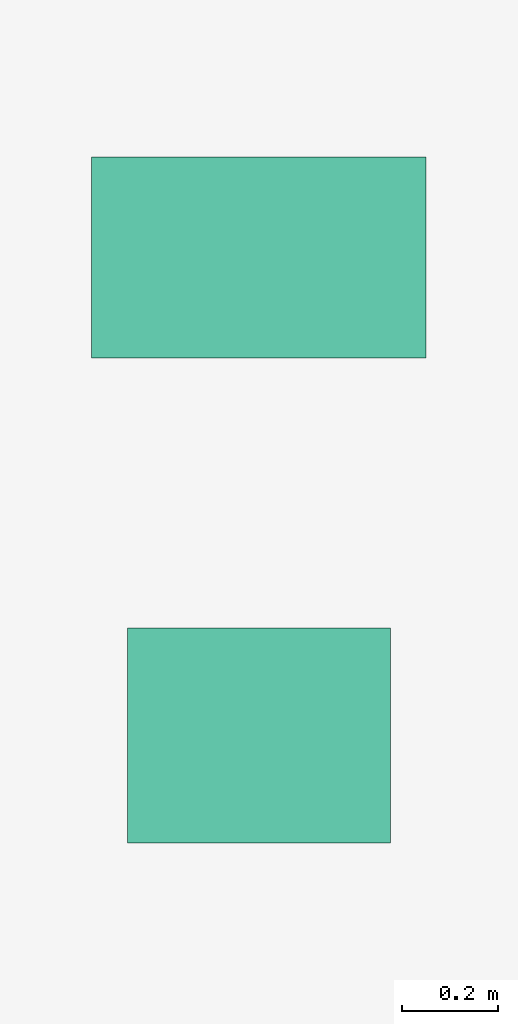
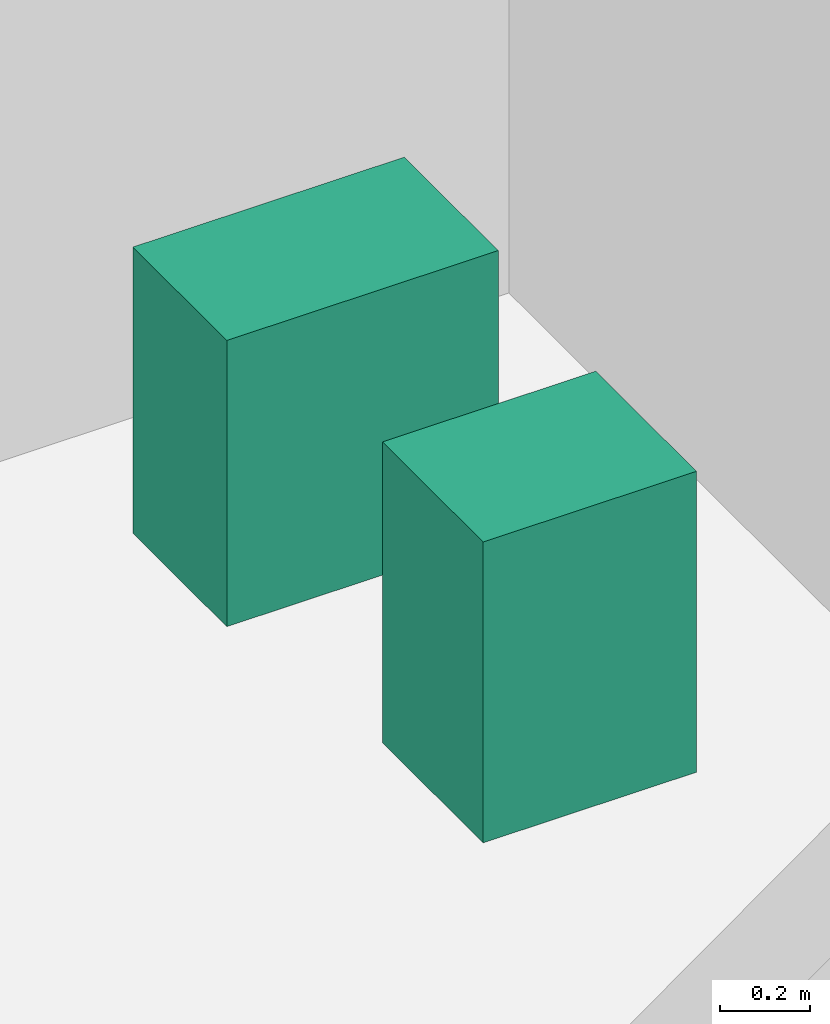
# One storey, part 27 of 27: 2 sanitary terminals.
"""IFC4 building model written with IfcOpenShell, lengths in metres."""

import ifcopenshell
import ifcopenshell.guid

model = None  # the IFC model being written
_history = None  # IfcOwnerHistory: only IFC2X3 demands one
_inside = {}  # id of a spatial element -> (the spatial element, [elements in it])
_under = {}  # id of a project, library or spatial element -> (it, [spatial elements below it])
_declared = {}  # id of a project -> (the project, [libraries it declares])
_typed = {}  # id of a type object -> (the type object, [elements of that type])
_made_of = {}  # id of a material, layer set ... -> (it, [elements and type objects made of it])


def new_model(schema):
    """Start an empty IFC model of exactly this schema.

    Asked for "IFC4X3", IfcOpenShell would pick the latest addendum, in which some entities
    have other attributes; the version numbers below select the first issue.
    IFC2X3 requires an IfcOwnerHistory on every rooted entity: one is made here for all.
    """
    global model, _history
    if schema == "IFC4X3":
        model = ifcopenshell.file(schema_version=(4, 3, 0, 0))
    else:
        model = ifcopenshell.file(schema=schema)
    _inside.clear()
    _under.clear()
    _declared.clear()
    _typed.clear()
    _made_of.clear()
    _history = None
    if model.schema == "IFC2X3":
        org = make("IfcOrganization", Name="unknown")
        user = make(
            "IfcPersonAndOrganization",
            ThePerson=make("IfcPerson", FamilyName="unknown"),
            TheOrganization=org,
        )
        app = make(
            "IfcApplication",
            ApplicationDeveloper=org,
            Version="unknown",
            ApplicationFullName="unknown",
            ApplicationIdentifier="unknown",
        )
        _history = make(
            "IfcOwnerHistory",
            OwningUser=user,
            OwningApplication=app,
            ChangeAction="ADDED",
            CreationDate=0,
        )
    return model


def make(cls, **values):
    """One entity of the class cls with the attributes given. An attribute that is None is left unset."""
    return model.create_entity(
        cls, **{name: value for name, value in values.items() if value is not None}
    )


def rooted(cls, **values):
    """An entity with a GlobalId (a new one), such as an element, a storey or a relation."""
    return make(cls, GlobalId=ifcopenshell.guid.new(), OwnerHistory=_history, **values)


def si_unit(unit_type, name, prefix=None):
    """IfcSIUnit, for example si_unit("LENGTHUNIT", "METRE", prefix="MILLI")."""
    return make("IfcSIUnit", UnitType=unit_type, Prefix=prefix, Name=name)


def assignment(units):
    """IfcUnitAssignment: the units of a project."""
    return None if units is None else make("IfcUnitAssignment", Units=units)


def point(xyz):
    """IfcCartesianPoint."""
    return None if xyz is None else make("IfcCartesianPoint", Coordinates=xyz)


def direction(xyz):
    """IfcDirection."""
    return None if xyz is None else make("IfcDirection", DirectionRatios=xyz)


def frame(location, z_axis=None, x_axis=None):
    """IfcAxis2Placement3D, a coordinate frame: its origin and axes. An axis left out is left unset."""
    return make(
        "IfcAxis2Placement3D",
        Location=point(location),
        Axis=direction(z_axis),
        RefDirection=direction(x_axis),
    )


def frame_2d(location, x_axis=None):
    """IfcAxis2Placement2D, a coordinate frame in the plane: its origin and x axis."""
    return make(
        "IfcAxis2Placement2D", Location=point(location), RefDirection=direction(x_axis)
    )


def origin():
    """The frame at (0, 0, 0) with its axes left unset."""
    return frame((0.0, 0.0, 0.0))


def origin_2d():
    """The frame at (0, 0) in the plane with its x axis left unset."""
    return frame_2d((0.0, 0.0))


def place(relative_to, where):
    """IfcLocalPlacement: puts the frame where relative to a parent placement (None: the world)."""
    return make(
        "IfcLocalPlacement", PlacementRelTo=relative_to, RelativePlacement=where
    )


def context(
    kind, dimensions, precision=None, world=None, true_north=None, identifier=None
):
    """IfcGeometricRepresentationContext, for example the 3D "Model" context."""
    return make(
        "IfcGeometricRepresentationContext",
        ContextIdentifier=identifier,
        ContextType=kind,
        CoordinateSpaceDimension=dimensions,
        Precision=precision,
        WorldCoordinateSystem=world,
        TrueNorth=true_north,
    )


def subcontext(parent, identifier, kind, view, scale=None):
    """IfcGeometricRepresentationSubContext, for example "Body" below "Model"."""
    return make(
        "IfcGeometricRepresentationSubContext",
        ContextIdentifier=identifier,
        ContextType=kind,
        ParentContext=parent,
        TargetScale=scale,
        TargetView=view,
    )


def project(units=None, contexts=None):
    """IfcProject with its units and contexts."""
    return rooted(
        "IfcProject",
        Name="project",
        RepresentationContexts=contexts,
        UnitsInContext=assignment(units),
    )


def spatial(cls, under=None, at=None, **own):
    """A site, building, storey or space (cls), placed at a placement, below another one or the project."""
    s = rooted(cls, ObjectPlacement=at, **own)
    if under is not None:
        _under.setdefault(under.id(), (under, []))[1].append(s)
    return s


def profile(cls, at=None, kind="AREA", **sizes):
    """A parametric profile (cls). Its sizes go by their IFC names, for example OverallWidth=200.0."""
    return make(cls, ProfileType=kind, Position=at, **sizes)


def rectangle(**sizes):
    """IfcRectangleProfileDef."""
    return profile("IfcRectangleProfileDef", **sizes)


def extrude(swept, where, along, depth):
    """IfcExtrudedAreaSolid: the profile swept, set in the frame where, extruded along a direction by depth."""
    return make(
        "IfcExtrudedAreaSolid",
        SweptArea=swept,
        Position=where,
        ExtrudedDirection=direction(along),
        Depth=depth,
    )


def shape(context_of_items, identifier, shape_type, items):
    """IfcShapeRepresentation: the items that make up one representation, for example the "Body"."""
    return make(
        "IfcShapeRepresentation",
        ContextOfItems=context_of_items,
        RepresentationIdentifier=identifier,
        RepresentationType=shape_type,
        Items=items,
    )


def source(mapping_origin, context_of_items, identifier, shape_type, items):
    """IfcRepresentationMap: a shape defined once, which mapped items show again and again."""
    return make(
        "IfcRepresentationMap",
        MappingOrigin=mapping_origin,
        MappedRepresentation=shape(context_of_items, identifier, shape_type, items),
    )


def transform(
    local_origin,
    x_axis=None,
    y_axis=None,
    z_axis=None,
    scale=None,
    scale2=None,
    scale3=None,
    uniform=True,
):
    """IfcCartesianTransformationOperator3D, or its non-uniform kind. x_axis, y_axis, z_axis: its Axis1, 2, 3."""
    if uniform:
        return make(
            "IfcCartesianTransformationOperator3D",
            Axis1=direction(x_axis),
            Axis2=direction(y_axis),
            LocalOrigin=point(local_origin),
            Scale=scale,
            Axis3=direction(z_axis),
        )
    return make(
        "IfcCartesianTransformationOperator3DnonUniform",
        Axis1=direction(x_axis),
        Axis2=direction(y_axis),
        LocalOrigin=point(local_origin),
        Scale=scale,
        Axis3=direction(z_axis),
        Scale2=scale2,
        Scale3=scale3,
    )


def mapped(mapping_source, mapping_target):
    """IfcMappedItem: shows the shape of a source again, moved by a transform."""
    return make(
        "IfcMappedItem", MappingSource=mapping_source, MappingTarget=mapping_target
    )


def material(Name=None, Category=None):
    """IfcMaterial."""
    return make("IfcMaterial", Name=Name, Category=Category)


def made_of(thing, what):
    """Note that an element or type object is made of a material, layer set ...; save() writes the relation."""
    if what is not None:
        _made_of.setdefault(what.id(), (what, []))[1].append(thing)
    return thing


def type_object(cls, material=None, **own):
    """A type object (cls), such as IfcWallType, which elements share."""
    return made_of(rooted(cls, **own), material)


def element(
    cls,
    number,
    at=None,
    inside=None,
    cuts=None,
    type_object=None,
    material=None,
    context=None,
    identifier="Body",
    shape_type=None,
    held_by="IfcProductDefinitionShape",
    body=None,
    shapes=None,
    **own,
):
    """One element of the class cls, such as IfcWall. Its Tag is "e" and its number.

    at: its placement. inside: the storey or other place that contains it. cuts: it is an
    opening in that element (IfcRelVoidsElement). A single representation is given by context,
    identifier, shape_type and body (its items); several are given by shapes. held_by: the class
    of the entity that holds the representations. save() writes the other relations.
    """
    e = rooted(cls, Tag="e%d" % number, ObjectPlacement=at, **own)
    if body is not None:
        shapes = [shape(context, identifier, shape_type, body)]
    if shapes is not None:
        e.Representation = make(held_by, Representations=shapes)
    if inside is not None:
        _inside.setdefault(inside.id(), (inside, []))[1].append(e)
    if cuts is not None:
        rooted(
            "IfcRelVoidsElement", RelatingBuildingElement=cuts, RelatedOpeningElement=e
        )
    if type_object is not None:
        _typed.setdefault(type_object.id(), (type_object, []))[1].append(e)
    return made_of(e, material)


def aggregate(whole, parts):
    """IfcRelAggregates: a whole, such as a stair, and the parts it consists of."""
    return rooted("IfcRelAggregates", RelatingObject=whole, RelatedObjects=parts)


def save(model, path):
    """Write the relations noted so far, then the file.

    IfcRelAggregates (storeys below a building ...), IfcRelContainedInSpatialStructure (elements
    in a storey), IfcRelDefinesByType, IfcRelAssociatesMaterial and IfcRelDeclares: one each for
    every whole, place, type object, material and project.
    """
    for whole, parts in _under.values():
        aggregate(whole, parts)
    for where, things in _inside.values():
        rooted(
            "IfcRelContainedInSpatialStructure",
            RelatedElements=things,
            RelatingStructure=where,
        )
    for kind, things in _typed.values():
        rooted("IfcRelDefinesByType", RelatedObjects=things, RelatingType=kind)
    for what, things in _made_of.values():
        rooted("IfcRelAssociatesMaterial", RelatedObjects=things, RelatingMaterial=what)
    for by, libraries in _declared.values():
        rooted("IfcRelDeclares", RelatingContext=by, RelatedDefinitions=libraries)
    model.write(path)


model = new_model("IFC4")

# Units and contexts
model_context = context("Model", 3, precision=1e-05, world=origin(), true_north=direction((0.0, 1.0)))
body_context = subcontext(model_context, "Body", "Model", "MODEL_VIEW")
ifc_project = project(units=[si_unit("LENGTHUNIT", "METRE"), si_unit("AREAUNIT", "SQUARE_METRE"), si_unit("VOLUMEUNIT", "CUBIC_METRE"), si_unit("PLANEANGLEUNIT", "RADIAN"), si_unit("MASSUNIT", "GRAM", prefix="KILO")], contexts=[model_context])

# Site, building, storey
site_placement = place(None, origin())
site = spatial("IfcSite", under=ifc_project, at=site_placement, CompositionType="ELEMENT")
building_placement = place(site_placement, origin())
building = spatial("IfcBuilding", under=site, at=building_placement, Name="Sumidabori Civic Tower", CompositionType="ELEMENT")
storey_placement = place(building_placement, frame((0.0, 0.0, 135.199951171875)))
storey = spatial("IfcBuildingStorey", under=building, at=storey_placement, Name="L34", CompositionType="ELEMENT", Elevation=135.199951171875)

# Sanitary terminals
ifc_material = material(Name="Vitreous Sanitary Porcelain")
sanitary_terminal_type_1 = type_object("IfcSanitaryTerminalType", Name="SN-WC-1", PredefinedType="TOILETPAN", material=ifc_material)
shared_shape_1 = source(origin(), body_context, "Body", "SweptSolid", [
    extrude(rectangle(XDim=0.699951171875, YDim=0.419921875, at=origin_2d()), origin(), (0.0, 0.0, 1.0), 0.780029296875),
])
sanitary_terminal_1_placement = place(storey_placement, frame((10.800048828125, 21.85009765625, 0.0), z_axis=(0.0, 0.0, 1.0), x_axis=(1.0, 0.0, 0.0)))
element("IfcSanitaryTerminal", 1, at=sanitary_terminal_1_placement, inside=storey, type_object=sanitary_terminal_type_1, Name="Accessible WC Pan L34", PredefinedType="TOILETPAN", context=body_context, shape_type="MappedRepresentation", body=[
    mapped(shared_shape_1, transform((0.0, 0.0, 0.0), x_axis=(1.0, 0.0, 0.0), y_axis=(0.0, 1.0, 0.0), z_axis=(0.0, 0.0, 1.0), scale=1.0)),
])
sanitary_terminal_type_2 = type_object("IfcSanitaryTerminalType", Name="SN-BAS-1", PredefinedType="WASHHANDBASIN", material=ifc_material)
shared_shape_2 = source(origin(), body_context, "Body", "SweptSolid", [
    extrude(rectangle(XDim=0.550048828125, YDim=0.449951171875, at=origin_2d()), origin(), (0.0, 0.0, 1.0), 0.820068359375),
])
sanitary_terminal_2_placement = place(storey_placement, frame((10.800048828125, 20.85009765625, 0.0), z_axis=(0.0, 0.0, 1.0), x_axis=(1.0, 0.0, 0.0)))
element("IfcSanitaryTerminal", 2, at=sanitary_terminal_2_placement, inside=storey, type_object=sanitary_terminal_type_2, Name="Accessible Basin L34", PredefinedType="WASHHANDBASIN", context=body_context, shape_type="MappedRepresentation", body=[
    mapped(shared_shape_2, transform((0.0, 0.0, 0.0), x_axis=(1.0, 0.0, 0.0), y_axis=(0.0, 1.0, 0.0), z_axis=(0.0, 0.0, 1.0), scale=1.0)),
])

save(model, "model.ifc")
